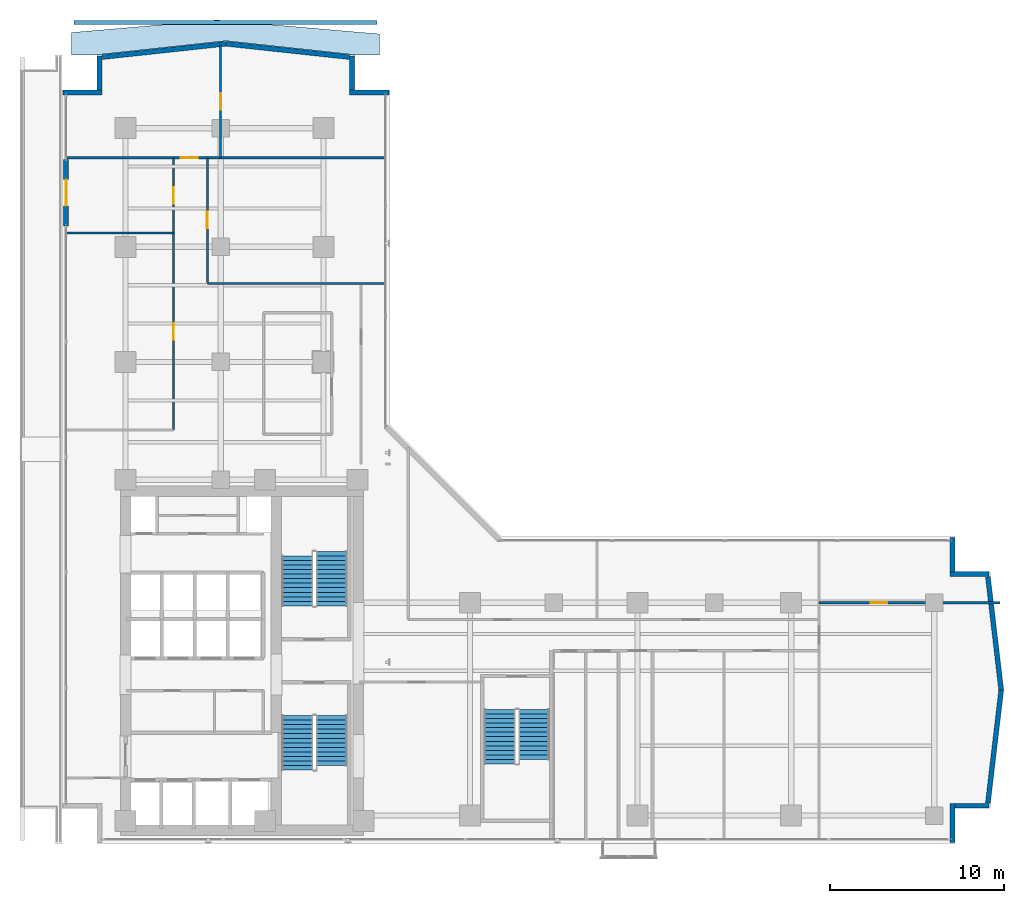
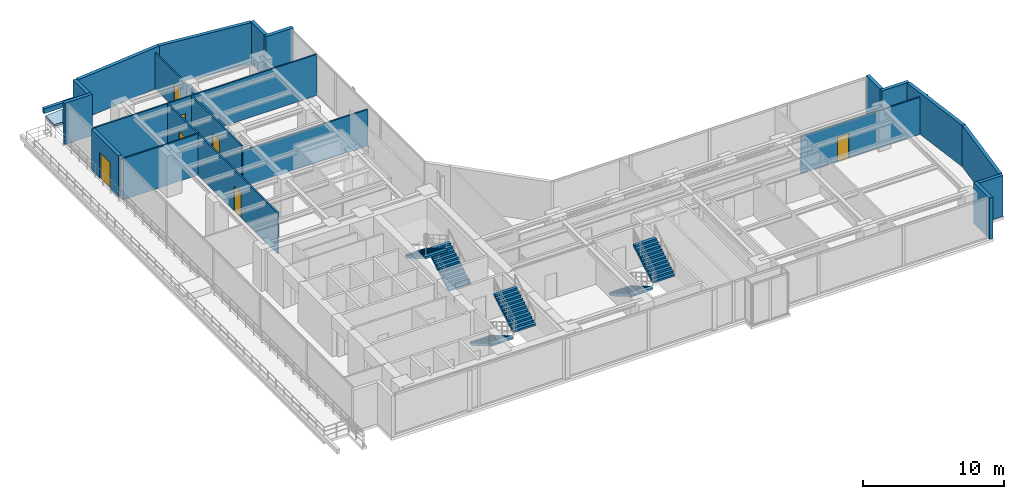
# One storey, part 22 of 28: 21 walls, 7 doors, 6 stair flights, 1 roof, 7 openings, 3 elements without a shape of their own.
"""IFC4 building model written with IfcOpenShell, lengths in metres."""

from ifc_helpers import new_model, si_unit, direction, frame, frame_2d, origin, place, context, subcontext, project, spatial, polyline, rectangle, outline, extrude, material, layer, layer_set, type_object, element, fill, aggregate, save


model = new_model("IFC4")

# Units and contexts
model_context = context("Model", 3, precision=1e-05, world=origin(), true_north=direction((0.0, 1.0)))
body_context = subcontext(model_context, "Body", "Model", "MODEL_VIEW")
ifc_project = project(units=[si_unit("LENGTHUNIT", "METRE"), si_unit("AREAUNIT", "SQUARE_METRE"), si_unit("VOLUMEUNIT", "CUBIC_METRE"), si_unit("PLANEANGLEUNIT", "RADIAN"), si_unit("MASSUNIT", "GRAM", prefix="KILO")], contexts=[model_context])

# Site, building, storey
site_placement = place(None, origin())
site = spatial("IfcSite", under=ifc_project, at=site_placement, CompositionType="ELEMENT")
building_placement = place(site_placement, origin())
building = spatial("IfcBuilding", under=site, at=building_placement, Name="Kolvaren Waterfront Exchange", CompositionType="ELEMENT")
storey_placement = place(building_placement, frame((0.0, 0.0, 146.199951171875)))
storey = spatial("IfcBuildingStorey", under=building, at=storey_placement, Name="L37", CompositionType="ELEMENT", Elevation=146.199951171875)

# Wall, opening, door
ifc_material_1 = material(Name="Precast concrete C40/50", Category="concrete")
ifc_layer_1 = layer(ifc_material_1, 0.280029296875, Name="Precast concrete C40/50")
ifc_layer_set_1 = layer_set([ifc_layer_1], Name="Precast concrete C40/50")
wall_type_1 = type_object("IfcWallType", Name="ARC-EXT-TERR-280", PredefinedType="SOLIDWALL", material=ifc_layer_set_1)
wall_1_placement = place(storey_placement, frame((4.0400390625, 39.0, 0.0), z_axis=(0.0, 0.0, 1.0), x_axis=(0.0, 1.0, 0.0)))
wall_1 = element("IfcWall", 1, at=wall_1_placement, inside=storey, type_object=wall_type_1, Name="L37 west sky-garden access wall 2", PredefinedType="SOLIDWALL", context=body_context, shape_type="SweptSolid", body=[
    extrude(rectangle(XDim=3.800048828125, YDim=0.280029296875, at=frame_2d((1.89990234375, 0.0))), origin(), (0.0, 0.0, 1.0), 3.56005859375),
])
opening_1_placement = place(wall_1_placement, frame((1.14990234375, 0.0, 0.0)))
opening_1 = element("IfcOpeningElement", 2, at=opening_1_placement, cuts=wall_1, Name="Opening TD1", PredefinedType="OPENING", context=body_context, shape_type="SweptSolid", body=[
    extrude(rectangle(XDim=1.5, YDim=2.25, at=frame_2d((0.75, 1.125))), frame((0.0, 0.14990234375, 0.0), z_axis=(0.0, -1.0, 0.0), x_axis=(1.0, 0.0, 0.0)), (0.0, 0.0, 1.0), 0.300048828125),
])
ifc_material_2 = material(Name="Anodised bronze aluminium and glass", Category="aluminium")
door_type_1 = type_object("IfcDoorType", Name="ARC-TD-1500", OperationType="NOTDEFINED", PredefinedType="DOOR", material=ifc_material_2)
door_1_placement = place(opening_1_placement, origin())
door_1 = element("IfcDoor", 3, at=door_1_placement, inside=storey, type_object=door_type_1, Name="L37 planted sky-garden terrace door 2", OperationType="SINGLE_SWING_LEFT", OverallHeight=2.25, OverallWidth=1.5, PredefinedType="DOOR", context=body_context, shape_type="SweptSolid", body=[
    extrude(rectangle(XDim=1.5, YDim=2.25, at=frame_2d((0.75, 1.125))), frame((0.0, 0.02490234375, 0.0), z_axis=(0.0, -1.0, 0.0), x_axis=(1.0, 0.0, 0.0)), (0.0, 0.0, 1.0), 0.050048828125),
])
fill(opening_1, door_1)

# Walls
wall_2_placement = place(storey_placement, frame((54.840087890625, 3.659912109375, 0.0), z_axis=(0.0, 0.0, 1.0), x_axis=(0.0, 1.0, 0.0)))
element("IfcWall", 4, at=wall_2_placement, inside=storey, type_object=wall_type_1, Name="L37 notched corner spandrel pier SE-A", PredefinedType="SOLIDWALL", context=body_context, shape_type="SweptSolid", body=[
    extrude(rectangle(XDim=2.239990234375, YDim=0.280029296875, at=frame_2d((1.1201171875, 0.0))), origin(), (0.0, 0.0, 1.0), 3.56005859375),
])
wall_3_placement = place(storey_placement, frame((54.97998046875, 5.760009765625, 0.0), z_axis=(0.0, 0.0, 1.0), x_axis=(1.0, 0.0, 0.0)))
element("IfcWall", 5, at=wall_3_placement, inside=storey, type_object=wall_type_1, Name="L37 notched corner spandrel pier SE-B", PredefinedType="SOLIDWALL", context=body_context, shape_type="SweptSolid", body=[
    extrude(rectangle(XDim=1.9599609375, YDim=0.280029296875, at=frame_2d((0.97998046875, 0.0))), origin(), (0.0, 0.0, 1.0), 3.56005859375),
])
wall_4_placement = place(storey_placement, frame((54.840087890625, 19.1650390625, 0.0), z_axis=(0.0, 0.0, 1.0), x_axis=(0.0, 1.0, 0.0)))
element("IfcWall", 6, at=wall_4_placement, inside=storey, type_object=wall_type_1, Name="L37 notched corner spandrel pier ENE-A", PredefinedType="SOLIDWALL", context=body_context, shape_type="SweptSolid", body=[
    extrude(rectangle(XDim=1.974853515625, YDim=0.280029296875, at=frame_2d((0.9873046875, 0.0))), origin(), (0.0, 0.0, 1.0), 3.56005859375),
])
for number, where, z_axis, x_axis, name in (
    (7, (54.699951171875, 19.0400390625, 0.0), (0.0, 0.0, 1.0), (1.0, 0.0, 0.0), "L37 notched corner spandrel pier ENE-B"),
    (8, (20.300048828125, 46.639892578125, 0.0), (0.0, 0.0, 1.0), (1.0, 0.0, 0.0), "L37 notched corner spandrel pier NNE-A"),
):
    element("IfcWall", number, at=place(storey_placement, frame(where, z_axis=z_axis, x_axis=x_axis)), inside=storey, type_object=wall_type_1, Name=name, PredefinedType="SOLIDWALL", context=body_context, shape_type="SweptSolid", body=[
        extrude(rectangle(XDim=2.239990234375, YDim=0.280029296875, at=frame_2d((1.1201171875, 0.0))), origin(), (0.0, 0.0, 1.0), 3.56005859375),
    ])
wall_5_placement = place(storey_placement, frame((20.43994140625, 46.780029296875, 0.0), z_axis=(0.0, 0.0, 1.0), x_axis=(0.0, 1.0, 0.0)))
element("IfcWall", 9, at=wall_5_placement, inside=storey, type_object=wall_type_1, Name="L37 notched corner spandrel pier NNE-B", PredefinedType="SOLIDWALL", context=body_context, shape_type="SweptSolid", body=[
    extrude(rectangle(XDim=1.9599609375, YDim=0.280029296875, at=frame_2d((0.97998046875, 0.0))), origin(), (0.0, 0.0, 1.0), 3.56005859375),
])
wall_6_placement = place(storey_placement, frame((3.860107421875, 46.639892578125, 0.0), z_axis=(0.0, 0.0, 1.0), x_axis=(1.0, 0.0, 0.0)))
element("IfcWall", 10, at=wall_6_placement, inside=storey, type_object=wall_type_1, Name="L37 notched corner spandrel pier NW-A", PredefinedType="SOLIDWALL", context=body_context, shape_type="SweptSolid", body=[
    extrude(rectangle(XDim=2.239990234375, YDim=0.280029296875, at=frame_2d((1.1201171875, 0.0))), origin(), (0.0, 0.0, 1.0), 3.56005859375),
])
wall_7_placement = place(storey_placement, frame((5.9599609375, 46.780029296875, 0.0), z_axis=(0.0, 0.0, 1.0), x_axis=(0.0, 1.0, 0.0)))
element("IfcWall", 11, at=wall_7_placement, inside=storey, type_object=wall_type_1, Name="L37 notched corner spandrel pier NW-B", PredefinedType="SOLIDWALL", context=body_context, shape_type="SweptSolid", body=[
    extrude(rectangle(XDim=1.9599609375, YDim=0.280029296875, at=frame_2d((0.97998046875, 0.0))), origin(), (0.0, 0.0, 1.0), 3.56005859375),
])
for number, where, z_axis, x_axis, name in (
    (12, (56.876220703125, 5.91650390625, 0.0), (0.0, 0.0, 1.0), (0.11685426921, 0.993149072278, 0.0), "L37 east prow faceted facade wall 1"),
    (13, (57.638916015625, 12.401123046875, 0.0), (0.0, 0.0, 1.0), (-0.11685426921, 0.993149072278, 0.0), "L37 east prow faceted facade wall 2"),
):
    element("IfcWall", number, at=place(storey_placement, frame(where, z_axis=z_axis, x_axis=x_axis)), inside=storey, type_object=wall_type_1, Name=name, PredefinedType="SOLIDWALL", context=body_context, shape_type="SweptSolid", body=[
        extrude(rectangle(XDim=6.52685546875, YDim=0.280029296875, at=frame_2d((3.263427734375, 0.0))), origin(), (0.0, 0.0, 1.0), 3.56005859375),
    ])
for number, where, z_axis, x_axis, name in (
    (14, (20.284423828125, 48.673095703125, 0.0), (0.0, 0.0, 1.0), (-0.994206651606, 0.107485505548, 0.0), "L37 north prow faceted facade wall 1"),
    (15, (13.197265625, 49.438720703125, 0.0), (0.0, 0.0, 1.0), (-0.994206651606, -0.107485505548, 0.0), "L37 north prow faceted facade wall 2"),
):
    element("IfcWall", number, at=place(storey_placement, frame(where, z_axis=z_axis, x_axis=x_axis)), inside=storey, type_object=wall_type_1, Name=name, PredefinedType="SOLIDWALL", context=body_context, shape_type="SweptSolid", body=[
        extrude(rectangle(XDim=7.123046875, YDim=0.280029296875, at=frame_2d((3.5615234375, 0.0))), origin(), (0.0, 0.0, 1.0), 3.56005859375),
    ])
ifc_layer_2 = layer(ifc_material_1, 0.239990234375, Name="Precast concrete C40/50")
ifc_layer_set_2 = layer_set([ifc_layer_2], Name="Precast concrete C40/50")
wall_type_2 = type_object("IfcWallType", Name="ARC-PARAPET-240", PredefinedType="PARAPET", material=ifc_layer_set_2)
wall_8_placement = place(storey_placement, frame((4.5, 50.64990234375, 0.0), z_axis=(0.0, 0.0, 1.0), x_axis=(1.0, 0.0, 0.0)))
element("IfcWall", 16, at=wall_8_placement, inside=storey, type_object=wall_type_2, Name="L37 setback parapet kerb 1", PredefinedType="PARAPET", context=body_context, shape_type="SweptSolid", body=[
    extrude(rectangle(XDim=17.35009765625, YDim=0.239990234375, at=frame_2d((8.675048828125, 0.0))), origin(), (0.0, 0.0, 1.0), 0.420166015625),
])
ifc_material_3 = material(Name="Acoustic gypsum steel stud", Category="steel")
ifc_layer_3 = layer(ifc_material_3, 0.125, Name="Acoustic gypsum steel stud")
ifc_layer_set_3 = layer_set([ifc_layer_3], Name="Acoustic gypsum steel stud")
wall_type_3 = type_object("IfcWallType", Name="ARC-PART-125", PredefinedType="PARTITIONING", material=ifc_layer_set_3)
wall_9_placement = place(storey_placement, frame((12.139892578125, 35.699951171875, 0.0), z_axis=(0.0, 0.0, 1.0), x_axis=(1.0, 0.0, 0.0)))
element("IfcWall", 17, at=wall_9_placement, inside=storey, type_object=wall_type_3, Name="L37 interior wall PW-L37-RFLANK-N", PredefinedType="PARTITIONING", context=body_context, shape_type="SweptSolid", body=[
    extrude(rectangle(XDim=10.22021484375, YDim=0.125, at=frame_2d((5.110107421875, 0.0))), origin(), (0.0, 0.0, 1.0), 3.16015625),
])

# Wall, opening, door
wall_10_placement = place(storey_placement, frame((47.199951171875, 17.39990234375, 0.0), z_axis=(0.0, 0.0, 1.0), x_axis=(1.0, 0.0, 0.0)))
wall_10 = element("IfcWall", 18, at=wall_10_placement, inside=storey, type_object=wall_type_3, Name="L37 interior wall PW-L37-ETIP-MID", PredefinedType="PARTITIONING", context=body_context, shape_type="SweptSolid", body=[
    extrude(rectangle(XDim=10.360107421875, YDim=0.125, at=frame_2d((5.18017578125, 0.0))), origin(), (0.0, 0.0, 1.0), 3.199951171875),
])
opening_2_placement = place(wall_10_placement, frame((2.949951171875, 0.0, 0.0)))
opening_2 = element("IfcOpeningElement", 19, at=opening_2_placement, cuts=wall_10, Name="Opening D02", PredefinedType="OPENING", context=body_context, shape_type="SweptSolid", body=[
    extrude(rectangle(XDim=0.949951171875, YDim=2.14990234375, at=frame_2d((0.47509765625, 1.074951171875))), frame((0.0, 0.072509765625, 0.0), z_axis=(0.0, -1.0, 0.0), x_axis=(1.0, 0.0, 0.0)), (0.0, 0.0, 1.0), 0.14501953125),
])
ifc_material_4 = material(Name="Oak veneer acoustic timber", Category="wood")
door_type_2 = type_object("IfcDoorType", Name="ARC-DR-950", OperationType="NOTDEFINED", PredefinedType="DOOR", material=ifc_material_4)
door_2_placement = place(opening_2_placement, origin())
door_2 = element("IfcDoor", 20, at=door_2_placement, inside=storey, type_object=door_type_2, Name="L37 door DR-L37-ETIP2-D (D02)", OperationType="SINGLE_SWING_RIGHT", OverallHeight=2.14990234375, OverallWidth=0.949951171875, PredefinedType="DOOR", context=body_context, shape_type="SweptSolid", body=[
    extrude(rectangle(XDim=0.949951171875, YDim=2.14990234375, at=frame_2d((0.47509765625, 1.074951171875))), frame((0.0, 0.02490234375, 0.0), z_axis=(0.0, -1.0, 0.0), x_axis=(1.0, 0.0, 0.0)), (0.0, 0.0, 1.0), 0.050048828125),
])
fill(opening_2, door_2)

# Wall, openings, doors
wall_11_placement = place(storey_placement, frame((10.199951171875, 27.300048828125, 0.0), z_axis=(0.0, 0.0, 1.0), x_axis=(0.0, 1.0, 0.0)))
wall_11 = element("IfcWall", 21, at=wall_11_placement, inside=storey, type_object=wall_type_3, Name="L37 interior wall PW-L37-NW-CORR", PredefinedType="PARTITIONING", context=body_context, shape_type="SweptSolid", body=[
    extrude(rectangle(XDim=15.599853515625, YDim=0.125, at=frame_2d((7.7998046875, 0.0))), origin(), (0.0, 0.0, 1.0), 3.56005859375),
])
opening_3_placement = place(wall_11_placement, frame((5.169921875, 0.0, 0.0)))
opening_3 = element("IfcOpeningElement", 22, at=opening_3_placement, cuts=wall_11, Name="Opening D02", PredefinedType="OPENING", context=body_context, shape_type="SweptSolid", body=[
    extrude(rectangle(XDim=0.949951171875, YDim=2.14990234375, at=frame_2d((0.47509765625, 1.074951171875))), frame((0.0, 0.072509765625, 0.0), z_axis=(0.0, -1.0, 0.0), x_axis=(1.0, 0.0, 0.0)), (0.0, 0.0, 1.0), 0.14501953125),
])
opening_4_placement = place(wall_11_placement, frame((12.969970703125, 0.0, 0.0)))
opening_4 = element("IfcOpeningElement", 23, at=opening_4_placement, cuts=wall_11, Name="Opening D02", PredefinedType="OPENING", context=body_context, shape_type="SweptSolid", body=[
    extrude(rectangle(XDim=0.949951171875, YDim=2.14990234375, at=frame_2d((0.47509765625, 1.074951171875))), frame((0.0, 0.072509765625, 0.0), z_axis=(0.0, -1.0, 0.0), x_axis=(1.0, 0.0, 0.0)), (0.0, 0.0, 1.0), 0.14501953125),
])
door_3_placement = place(opening_3_placement, origin())
door_3 = element("IfcDoor", 24, at=door_3_placement, inside=storey, type_object=door_type_2, Name="L37 door DR-L37-NW-D-1 (D02)", OperationType="SINGLE_SWING_LEFT", OverallHeight=2.14990234375, OverallWidth=0.949951171875, PredefinedType="DOOR", context=body_context, shape_type="SweptSolid", body=[
    extrude(rectangle(XDim=0.949951171875, YDim=2.14990234375, at=frame_2d((0.47509765625, 1.074951171875))), frame((0.0, 0.02490234375, 0.0), z_axis=(0.0, -1.0, 0.0), x_axis=(1.0, 0.0, 0.0)), (0.0, 0.0, 1.0), 0.050048828125),
])
fill(opening_3, door_3)
door_4_placement = place(opening_4_placement, origin())
door_4 = element("IfcDoor", 25, at=door_4_placement, inside=storey, type_object=door_type_2, Name="L37 door DR-L37-NW-D-2 (D02)", OperationType="SINGLE_SWING_RIGHT", OverallHeight=2.14990234375, OverallWidth=0.949951171875, PredefinedType="DOOR", context=body_context, shape_type="SweptSolid", body=[
    extrude(rectangle(XDim=0.949951171875, YDim=2.14990234375, at=frame_2d((0.47509765625, 1.074951171875))), frame((0.0, 0.02490234375, 0.0), z_axis=(0.0, -1.0, 0.0), x_axis=(1.0, 0.0, 0.0)), (0.0, 0.0, 1.0), 0.050048828125),
])
fill(opening_4, door_4)

# Wall
wall_12_placement = place(storey_placement, frame((4.0400390625, 38.590087890625, 0.0), z_axis=(0.0, 0.0, 1.0), x_axis=(1.0, 0.0, 0.0)))
element("IfcWall", 26, at=wall_12_placement, inside=storey, type_object=wall_type_3, Name="L37 interior wall PW-L37-NW-DIV-1", PredefinedType="PARTITIONING", context=body_context, shape_type="SweptSolid", body=[
    extrude(rectangle(XDim=6.159912109375, YDim=0.125, at=frame_2d((3.080078125, 0.0))), origin(), (0.0, 0.0, 1.0), 3.56005859375),
])

# Wall, opening, door
wall_13_placement = place(storey_placement, frame((4.0400390625, 42.89990234375, 0.0), z_axis=(0.0, 0.0, 1.0), x_axis=(1.0, 0.0, 0.0)))
wall_13 = element("IfcWall", 27, at=wall_13_placement, inside=storey, type_object=wall_type_3, Name="L37 interior wall PW-L37-NTIP-S", PredefinedType="PARTITIONING", context=body_context, shape_type="SweptSolid", body=[
    extrude(rectangle(XDim=18.320068359375, YDim=0.125, at=frame_2d((9.16015625, 0.0))), origin(), (0.0, 0.0, 1.0), 3.56005859375),
])
opening_5_placement = place(wall_13_placement, frame((6.56005859375, 0.0, 0.0)))
opening_5 = element("IfcOpeningElement", 28, at=opening_5_placement, cuts=wall_13, Name="Opening D03", PredefinedType="OPENING", context=body_context, shape_type="SweptSolid", body=[
    extrude(rectangle(XDim=1.0, YDim=2.199951171875, at=frame_2d((0.5, 1.10009765625))), frame((0.0, 0.072509765625, 0.0), z_axis=(0.0, -1.0, 0.0), x_axis=(1.0, 0.0, 0.0)), (0.0, 0.0, 1.0), 0.14501953125),
])
ifc_material_5 = material(Name="Oak veneer accessible timber", Category="wood")
door_type_3 = type_object("IfcDoorType", Name="ARC-DR-1000", OperationType="NOTDEFINED", PredefinedType="DOOR", material=ifc_material_5)
door_5_placement = place(opening_5_placement, origin())
door_5 = element("IfcDoor", 29, at=door_5_placement, inside=storey, type_object=door_type_3, Name="L37 door DR-L37-NTIPW-D (D03)", OperationType="SINGLE_SWING_LEFT", OverallHeight=2.199951171875, OverallWidth=1.0, PredefinedType="DOOR", context=body_context, shape_type="SweptSolid", body=[
    extrude(rectangle(XDim=1.0, YDim=2.199951171875, at=frame_2d((0.5, 1.10009765625))), frame((0.0, 0.02490234375, 0.0), z_axis=(0.0, -1.0, 0.0), x_axis=(1.0, 0.0, 0.0)), (0.0, 0.0, 1.0), 0.050048828125),
])
fill(opening_5, door_5)

wall_14_placement = place(storey_placement, frame((12.89990234375, 42.89990234375, 0.0), z_axis=(0.0, 0.0, 1.0), x_axis=(0.0, 1.0, 0.0)))
wall_14 = element("IfcWall", 30, at=wall_14_placement, inside=storey, type_object=wall_type_3, Name="L37 interior wall PW-L37-NTIP-DIV", PredefinedType="PARTITIONING", context=body_context, shape_type="SweptSolid", body=[
    extrude(rectangle(XDim=6.460205078125, YDim=0.125, at=frame_2d((3.22998046875, 0.0))), origin(), (0.0, 0.0, 1.0), 3.110107421875),
])
opening_6_placement = place(wall_14_placement, frame((2.75, 0.0, 0.0)))
opening_6 = element("IfcOpeningElement", 31, at=opening_6_placement, cuts=wall_14, Name="Opening D02", PredefinedType="OPENING", context=body_context, shape_type="SweptSolid", body=[
    extrude(rectangle(XDim=0.949951171875, YDim=2.14990234375, at=frame_2d((0.47509765625, 1.074951171875))), frame((0.0, 0.072509765625, 0.0), z_axis=(0.0, -1.0, 0.0), x_axis=(1.0, 0.0, 0.0)), (0.0, 0.0, 1.0), 0.14501953125),
])
door_6_placement = place(opening_6_placement, origin())
door_6 = element("IfcDoor", 32, at=door_6_placement, inside=storey, type_object=door_type_2, Name="L37 door DR-L37-NTIPE-D (D02)", OperationType="SINGLE_SWING_RIGHT", OverallHeight=2.14990234375, OverallWidth=0.949951171875, PredefinedType="DOOR", context=body_context, shape_type="SweptSolid", body=[
    extrude(rectangle(XDim=0.949951171875, YDim=2.14990234375, at=frame_2d((0.47509765625, 1.074951171875))), frame((0.0, 0.02490234375, 0.0), z_axis=(0.0, -1.0, 0.0), x_axis=(1.0, 0.0, 0.0)), (0.0, 0.0, 1.0), 0.050048828125),
])
fill(opening_6, door_6)

wall_15_placement = place(storey_placement, frame((12.139892578125, 35.75, 0.0), z_axis=(0.0, 0.0, 1.0), x_axis=(0.0, 1.0, 0.0)))
wall_15 = element("IfcWall", 33, at=wall_15_placement, inside=storey, type_object=wall_type_3, Name="L37 interior wall PW-L37-NE-CORR", PredefinedType="PARTITIONING", context=body_context, shape_type="SweptSolid", body=[
    extrude(rectangle(XDim=7.14990234375, YDim=0.125, at=frame_2d((3.574951171875, 0.0))), origin(), (0.0, 0.0, 1.0), 3.56005859375),
])
opening_7_placement = place(wall_15_placement, frame((3.10009765625, 0.0, 0.0)))
opening_7 = element("IfcOpeningElement", 34, at=opening_7_placement, cuts=wall_15, Name="Opening D02", PredefinedType="OPENING", context=body_context, shape_type="SweptSolid", body=[
    extrude(rectangle(XDim=0.949951171875, YDim=2.14990234375, at=frame_2d((0.47509765625, 1.074951171875))), frame((0.0, 0.072509765625, 0.0), z_axis=(0.0, -1.0, 0.0), x_axis=(1.0, 0.0, 0.0)), (0.0, 0.0, 1.0), 0.14501953125),
])
door_7_placement = place(opening_7_placement, origin())
door_7 = element("IfcDoor", 35, at=door_7_placement, inside=storey, type_object=door_type_2, Name="L37 door DR-L37-NE-D-1 (D02)", OperationType="SINGLE_SWING_LEFT", OverallHeight=2.14990234375, OverallWidth=0.949951171875, PredefinedType="DOOR", context=body_context, shape_type="SweptSolid", body=[
    extrude(rectangle(XDim=0.949951171875, YDim=2.14990234375, at=frame_2d((0.47509765625, 1.074951171875))), frame((0.0, 0.02490234375, 0.0), z_axis=(0.0, -1.0, 0.0), x_axis=(1.0, 0.0, 0.0)), (0.0, 0.0, 1.0), 0.050048828125),
])
fill(opening_7, door_7)

# Stair, stair flights
ifc_material_6 = material(Name="Concrete C40/50", Category="concrete")
stair_type = type_object("IfcStairType", Name="ARC-STAIR-3800", PredefinedType="HALF_TURN_STAIR", material=ifc_material_6)
stair_1_placement = place(storey_placement, origin())
stair_1 = element("IfcStair", 36, at=stair_1_placement, inside=storey, type_object=stair_type, Name="L37 Smoke-proof exit stair ST1", PredefinedType="HALF_TURN_STAIR")
stair_flight_type = type_object("IfcStairFlightType", Name="ARC-FLIGHT-3800", PredefinedType="STRAIGHT", material=ifc_material_6)
stair_flight_1_placement = place(storey_placement, frame((17.300048828125, 10.929931640625, 0.0), z_axis=(0.0, 0.0, 1.0), x_axis=(0.0, -1.0, 0.0)))
stair_flight_1 = element("IfcStairFlight", 37, at=stair_flight_1_placement, type_object=stair_flight_type, Name="ST1 flight 1", NumberOfRisers=13, NumberOfTreads=12, PredefinedType="STRAIGHT", RiserHeight=0.152, TreadLength=0.26, context=body_context, shape_type="SweptSolid", body=[
    extrude(outline(polyline([(0.0, 0.0), (0.0, 0.152099609375), (0.260009765625, 0.152099609375), (0.260009765625, 0.303955078125), (0.52001953125, 0.303955078125), (0.52001953125, 0.4560546875), (0.780029296875, 0.4560546875), (0.780029296875, 0.60791015625), (1.0400390625, 0.60791015625), (1.0400390625, 0.760009765625), (1.300048828125, 0.760009765625), (1.300048828125, 0.912109375), (1.56005859375, 0.912109375), (1.56005859375, 1.06396484375), (1.820068359375, 1.06396484375), (1.820068359375, 1.216064453125), (2.080078125, 1.216064453125), (2.080078125, 1.367919921875), (2.340087890625, 1.367919921875), (2.340087890625, 1.52001953125), (2.60009765625, 1.52001953125), (2.60009765625, 1.672119140625), (2.860107421875, 1.672119140625), (2.860107421875, 1.823974609375), (3.1201171875, 1.823974609375), (3.1201171875, 1.97607421875), (3.1201171875, 1.650390625), (0.297119140625, 0.0), (0.0, 0.0)])), frame((0.0, 0.89990234375, 0.0), z_axis=(0.0, -1.0, 0.0), x_axis=(1.0, 0.0, 0.0)), (0.0, 0.0, 1.0), 1.800048828125),
])
stair_flight_2_placement = place(storey_placement, frame((19.260009765625, 8.070068359375, 1.97607421875), z_axis=(0.0, 0.0, 1.0), x_axis=(0.0, 1.0, 0.0)))
stair_flight_2 = element("IfcStairFlight", 38, at=stair_flight_2_placement, type_object=stair_flight_type, Name="ST1 flight 2", NumberOfRisers=12, NumberOfTreads=11, PredefinedType="STRAIGHT", RiserHeight=0.152, TreadLength=0.26, context=body_context, shape_type="SweptSolid", body=[
    extrude(outline(polyline([(0.0, 0.0), (0.0, 0.152099609375), (0.260009765625, 0.152099609375), (0.260009765625, 0.303955078125), (0.52001953125, 0.303955078125), (0.52001953125, 0.4560546875), (0.780029296875, 0.4560546875), (0.780029296875, 0.60791015625), (1.0400390625, 0.60791015625), (1.0400390625, 0.760009765625), (1.300048828125, 0.760009765625), (1.300048828125, 0.912109375), (1.56005859375, 0.912109375), (1.56005859375, 1.06396484375), (1.820068359375, 1.06396484375), (1.820068359375, 1.216064453125), (2.080078125, 1.216064453125), (2.080078125, 1.367919921875), (2.340087890625, 1.367919921875), (2.340087890625, 1.52001953125), (2.60009765625, 1.52001953125), (2.60009765625, 1.672119140625), (2.860107421875, 1.672119140625), (2.860107421875, 1.823974609375), (2.860107421875, 1.498291015625), (0.297119140625, 0.0), (0.0, 0.0)])), frame((0.0, 0.89990234375, 0.0), z_axis=(0.0, -1.0, 0.0), x_axis=(1.0, 0.0, 0.0)), (0.0, 0.0, 1.0), 1.800048828125),
])
aggregate(stair_1, [stair_flight_1, stair_flight_2])

stair_2_placement = place(storey_placement, origin())
stair_2 = element("IfcStair", 39, at=stair_2_placement, inside=storey, type_object=stair_type, Name="L37 Smoke-proof exit stair ST2", PredefinedType="HALF_TURN_STAIR")
stair_flight_3_placement = place(storey_placement, frame((19.260009765625, 17.219970703125, 0.0), z_axis=(0.0, 0.0, 1.0), x_axis=(0.0, 1.0, 0.0)))
stair_flight_3 = element("IfcStairFlight", 40, at=stair_flight_3_placement, type_object=stair_flight_type, Name="ST2 flight 1", NumberOfRisers=13, NumberOfTreads=12, PredefinedType="STRAIGHT", RiserHeight=0.152, TreadLength=0.26, context=body_context, shape_type="SweptSolid", body=[
    extrude(outline(polyline([(0.0, 0.0), (0.0, 0.152099609375), (0.260009765625, 0.152099609375), (0.260009765625, 0.303955078125), (0.52001953125, 0.303955078125), (0.52001953125, 0.4560546875), (0.780029296875, 0.4560546875), (0.780029296875, 0.60791015625), (1.0400390625, 0.60791015625), (1.0400390625, 0.760009765625), (1.300048828125, 0.760009765625), (1.300048828125, 0.912109375), (1.56005859375, 0.912109375), (1.56005859375, 1.06396484375), (1.820068359375, 1.06396484375), (1.820068359375, 1.216064453125), (2.080078125, 1.216064453125), (2.080078125, 1.367919921875), (2.340087890625, 1.367919921875), (2.340087890625, 1.52001953125), (2.60009765625, 1.52001953125), (2.60009765625, 1.672119140625), (2.860107421875, 1.672119140625), (2.860107421875, 1.823974609375), (3.1201171875, 1.823974609375), (3.1201171875, 1.97607421875), (3.1201171875, 1.650390625), (0.297119140625, 0.0), (0.0, 0.0)])), frame((0.0, 0.89990234375, 0.0), z_axis=(0.0, -1.0, 0.0), x_axis=(1.0, 0.0, 0.0)), (0.0, 0.0, 1.0), 1.800048828125),
])
stair_flight_4_placement = place(storey_placement, frame((17.300048828125, 20.080078125, 1.97607421875), z_axis=(0.0, 0.0, 1.0), x_axis=(0.0, -1.0, 0.0)))
stair_flight_4 = element("IfcStairFlight", 41, at=stair_flight_4_placement, type_object=stair_flight_type, Name="ST2 flight 2", NumberOfRisers=12, NumberOfTreads=11, PredefinedType="STRAIGHT", RiserHeight=0.152, TreadLength=0.26, context=body_context, shape_type="SweptSolid", body=[
    extrude(outline(polyline([(0.0, 0.0), (0.0, 0.152099609375), (0.260009765625, 0.152099609375), (0.260009765625, 0.303955078125), (0.52001953125, 0.303955078125), (0.52001953125, 0.4560546875), (0.780029296875, 0.4560546875), (0.780029296875, 0.60791015625), (1.0400390625, 0.60791015625), (1.0400390625, 0.760009765625), (1.300048828125, 0.760009765625), (1.300048828125, 0.912109375), (1.56005859375, 0.912109375), (1.56005859375, 1.06396484375), (1.820068359375, 1.06396484375), (1.820068359375, 1.216064453125), (2.080078125, 1.216064453125), (2.080078125, 1.367919921875), (2.340087890625, 1.367919921875), (2.340087890625, 1.52001953125), (2.60009765625, 1.52001953125), (2.60009765625, 1.672119140625), (2.860107421875, 1.672119140625), (2.860107421875, 1.823974609375), (2.860107421875, 1.498291015625), (0.297119140625, 0.0), (0.0, 0.0)])), frame((0.0, 0.89990234375, 0.0), z_axis=(0.0, -1.0, 0.0), x_axis=(1.0, 0.0, 0.0)), (0.0, 0.0, 1.0), 1.800048828125),
])
aggregate(stair_2, [stair_flight_3, stair_flight_4])

stair_3_placement = place(storey_placement, origin())
stair_3 = element("IfcStair", 42, at=stair_3_placement, inside=storey, type_object=stair_type, Name="L37 Exit stair ST3", PredefinedType="HALF_TURN_STAIR")
stair_flight_5_placement = place(storey_placement, frame((28.89990234375, 11.280029296875, 0.0), z_axis=(0.0, 0.0, 1.0), x_axis=(0.0, -1.0, 0.0)))
stair_flight_5 = element("IfcStairFlight", 43, at=stair_flight_5_placement, type_object=stair_flight_type, Name="ST3 flight 1", NumberOfRisers=13, NumberOfTreads=12, PredefinedType="STRAIGHT", RiserHeight=0.152, TreadLength=0.26, context=body_context, shape_type="SweptSolid", body=[
    extrude(outline(polyline([(0.0, 0.0), (0.0, 0.152099609375), (0.260009765625, 0.152099609375), (0.260009765625, 0.303955078125), (0.52001953125, 0.303955078125), (0.52001953125, 0.4560546875), (0.780029296875, 0.4560546875), (0.780029296875, 0.60791015625), (1.0400390625, 0.60791015625), (1.0400390625, 0.760009765625), (1.300048828125, 0.760009765625), (1.300048828125, 0.912109375), (1.56005859375, 0.912109375), (1.56005859375, 1.06396484375), (1.820068359375, 1.06396484375), (1.820068359375, 1.216064453125), (2.080078125, 1.216064453125), (2.080078125, 1.367919921875), (2.340087890625, 1.367919921875), (2.340087890625, 1.52001953125), (2.60009765625, 1.52001953125), (2.60009765625, 1.672119140625), (2.860107421875, 1.672119140625), (2.860107421875, 1.823974609375), (3.1201171875, 1.823974609375), (3.1201171875, 1.97607421875), (3.1201171875, 1.650390625), (0.297119140625, 0.0), (0.0, 0.0)])), frame((0.0, 0.89990234375, 0.0), z_axis=(0.0, -1.0, 0.0), x_axis=(1.0, 0.0, 0.0)), (0.0, 0.0, 1.0), 1.800048828125),
])
stair_flight_6_placement = place(storey_placement, frame((30.860107421875, 8.419921875, 1.97607421875), z_axis=(0.0, 0.0, 1.0), x_axis=(0.0, 1.0, 0.0)))
stair_flight_6 = element("IfcStairFlight", 44, at=stair_flight_6_placement, type_object=stair_flight_type, Name="ST3 flight 2", NumberOfRisers=12, NumberOfTreads=11, PredefinedType="STRAIGHT", RiserHeight=0.152, TreadLength=0.26, context=body_context, shape_type="SweptSolid", body=[
    extrude(outline(polyline([(0.0, 0.0), (0.0, 0.152099609375), (0.260009765625, 0.152099609375), (0.260009765625, 0.303955078125), (0.52001953125, 0.303955078125), (0.52001953125, 0.4560546875), (0.780029296875, 0.4560546875), (0.780029296875, 0.60791015625), (1.0400390625, 0.60791015625), (1.0400390625, 0.760009765625), (1.300048828125, 0.760009765625), (1.300048828125, 0.912109375), (1.56005859375, 0.912109375), (1.56005859375, 1.06396484375), (1.820068359375, 1.06396484375), (1.820068359375, 1.216064453125), (2.080078125, 1.216064453125), (2.080078125, 1.367919921875), (2.340087890625, 1.367919921875), (2.340087890625, 1.52001953125), (2.60009765625, 1.52001953125), (2.60009765625, 1.672119140625), (2.860107421875, 1.672119140625), (2.860107421875, 1.823974609375), (2.860107421875, 1.498291015625), (0.297119140625, 0.0), (0.0, 0.0)])), frame((0.0, 0.89990234375, 0.0), z_axis=(0.0, -1.0, 0.0), x_axis=(1.0, 0.0, 0.0)), (0.0, 0.0, 1.0), 1.800048828125),
])
aggregate(stair_3, [stair_flight_5, stair_flight_6])

# Roof
ifc_layer_4 = layer(ifc_material_6, 0.320068359375, Name="Concrete C40/50")
ifc_layer_set_4 = layer_set([ifc_layer_4], Name="Concrete C40/50")
roof_type = type_object("IfcRoofType", Name="STR-ROOF-ASSY", PredefinedType="FLAT_ROOF", material=ifc_layer_set_4)
roof_placement = place(storey_placement, origin())
element("IfcRoof", 45, at=roof_placement, inside=storey, type_object=roof_type, Name="L37 insulated flat setback roof assembly 5", PredefinedType="FLAT_ROOF", context=body_context, shape_type="SweptSolid", body=[
    extrude(outline(polyline([(12.699951171875, 50.800048828125), (22.0, 50.0), (22.0, 48.7900390625), (20.60009765625, 48.7900390625), (20.60009765625, 48.800048828125), (13.199951171875, 49.60009765625), (5.800048828125, 48.800048828125), (5.800048828125, 48.7900390625), (4.35009765625, 48.7900390625), (4.35009765625, 50.081787109375), (12.699951171875, 50.800048828125)])), origin(), (0.0, 0.0, 1.0), 0.16015625),
])

save(model, "model.ifc")
